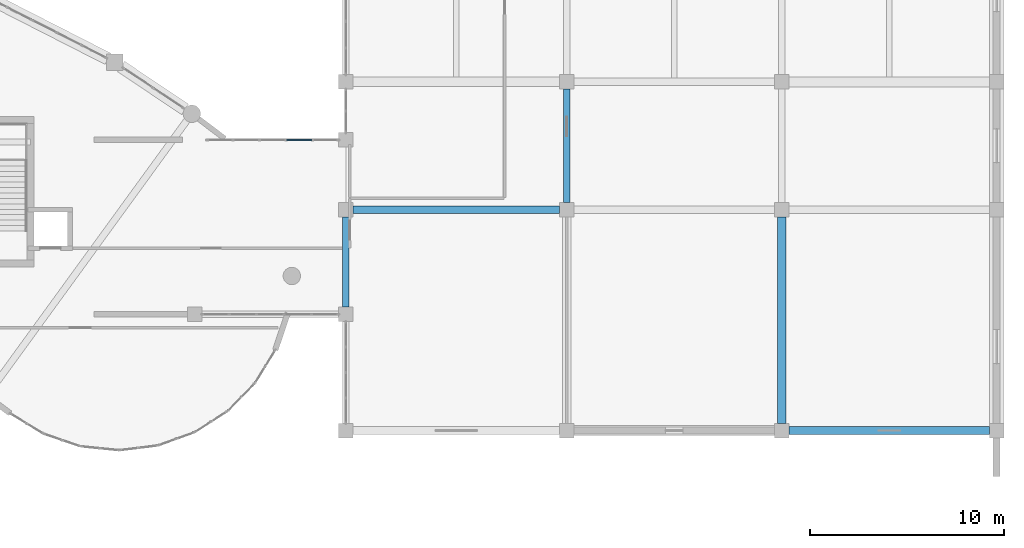
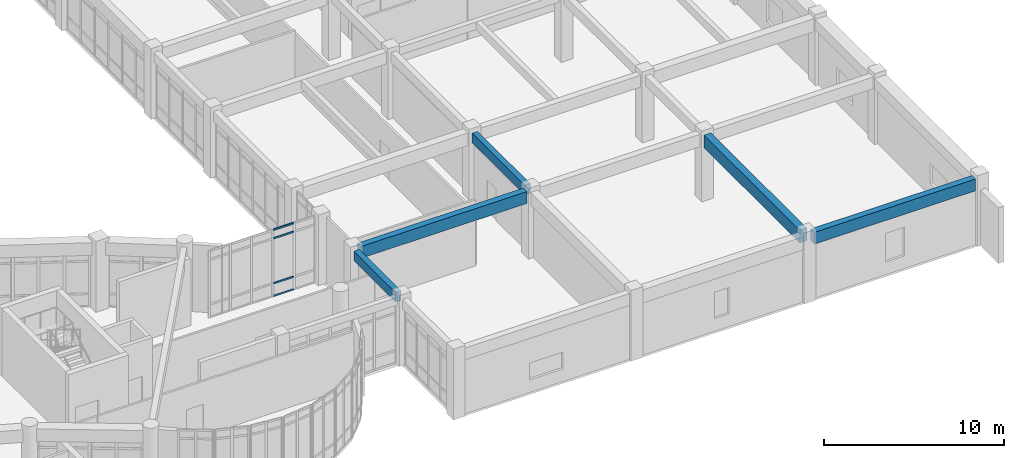
# One storey, part 25 of 68: 5 beams, 4 members, 1 element without a shape of its own.
"""IFC4 building model written with IfcOpenShell, lengths in metres."""

from ifc_helpers import new_model, si_unit, direction, frame, origin, origin_2d, place, context, subcontext, project, spatial, rectangle, extrude, material, layer, layer_set, material_profile, profile_set, type_object, element, aggregate, save


model = new_model("IFC4")

# Units and contexts
model_context = context("Model", 3, precision=1e-05, world=origin(), true_north=direction((0.0, 1.0)))
body_context = subcontext(model_context, "Body", "Model", "MODEL_VIEW")
ifc_project = project(units=[si_unit("LENGTHUNIT", "METRE"), si_unit("AREAUNIT", "SQUARE_METRE"), si_unit("VOLUMEUNIT", "CUBIC_METRE"), si_unit("PLANEANGLEUNIT", "RADIAN"), si_unit("MASSUNIT", "GRAM", prefix="KILO")], contexts=[model_context])

# Site, building, storey
site_placement = place(None, origin())
site = spatial("IfcSite", under=ifc_project, at=site_placement, CompositionType="ELEMENT")
building_placement = place(site_placement, origin())
building = spatial("IfcBuilding", under=site, at=building_placement, Name="Miralva Faculty of Natural Sciences", CompositionType="ELEMENT")
storey_placement = place(building_placement, frame((0.0, 0.0, 5.39990234375)))
storey = spatial("IfcBuildingStorey", under=building, at=storey_placement, Name="L01", CompositionType="ELEMENT", Elevation=5.39990234375)

# Beams
ifc_material_1 = material(Name="Concrete C40/50", Category="concrete")
ifc_material_profile_1 = material_profile(ifc_material_1, rectangle(XDim=0.449951171875, YDim=0.85009765625, at=origin_2d()), Name="RC 450x850")
ifc_profile_set_1 = profile_set([ifc_material_profile_1], Name="Concrete C40/50")
beam_type_1 = type_object("IfcBeamType", Name="BM-B01", PredefinedType="BEAM", material=ifc_profile_set_1)
beam_1_placement = place(storey_placement, frame((156.300048828125, 12.375, 4.05517578125), z_axis=(0.0, 1.0, 0.0), x_axis=(-1.0, 0.0, 0.0)))
element("IfcBeam", 1, at=beam_1_placement, inside=storey, type_object=beam_type_1, Name="Girder NS L01-174", PredefinedType="BEAM", context=body_context, shape_type="SweptSolid", body=[
    extrude(rectangle(XDim=0.449951171875, YDim=0.85009765625, at=origin_2d()), origin(), (0.0, 0.0, 1.0), 10.64990234375),
])
ifc_material_profile_2 = material_profile(ifc_material_1, rectangle(XDim=0.39990234375, YDim=0.800048828125, at=origin_2d()), Name="RC 400x800")
ifc_profile_set_2 = profile_set([ifc_material_profile_2], Name="Concrete C40/50")
beam_type_2 = type_object("IfcBeamType", Name="BM-B02", PredefinedType="BEAM", material=ifc_profile_set_2)
beam_2_placement = place(storey_placement, frame((156.675048828125, 12.0, 4.080078125), z_axis=(1.0, 0.0, 0.0), x_axis=(0.0, 1.0, 0.0)))
element("IfcBeam", 2, at=beam_2_placement, inside=storey, type_object=beam_type_2, Name="Girder EW L01-18", PredefinedType="BEAM", context=body_context, shape_type="SweptSolid", body=[
    extrude(rectangle(XDim=0.39990234375, YDim=0.800048828125, at=origin_2d()), origin(), (0.0, 0.0, 1.0), 10.349853515625),
])
beam_3_placement = place(storey_placement, frame((134.175048828125, 23.39990234375, 4.080078125), z_axis=(1.0, 0.0, 0.0), x_axis=(0.0, 1.0, 0.0)))
element("IfcBeam", 3, at=beam_3_placement, inside=storey, type_object=beam_type_2, Name="Girder EW L01-28", PredefinedType="BEAM", context=body_context, shape_type="SweptSolid", body=[
    extrude(rectangle(XDim=0.39990234375, YDim=0.800048828125, at=origin_2d()), origin(), (0.0, 0.0, 1.0), 10.64990234375),
])
ifc_material_profile_3 = material_profile(ifc_material_1, rectangle(XDim=0.35009765625, YDim=0.64990234375, at=origin_2d()), Name="RC 350x650")
ifc_profile_set_3 = profile_set([ifc_material_profile_3], Name="Concrete C40/50")
beam_type_3 = type_object("IfcBeamType", Name="BM-B05", PredefinedType="BEAM", material=ifc_profile_set_3)
beam_4_placement = place(storey_placement, frame((133.800048828125, 18.375, 4.155029296875), z_axis=(0.0, 1.0, 0.0), x_axis=(-1.0, 0.0, 0.0)))
element("IfcBeam", 4, at=beam_4_placement, inside=storey, type_object=beam_type_3, Name="Girder NS L01-161", PredefinedType="BEAM", context=body_context, shape_type="SweptSolid", body=[
    extrude(rectangle(XDim=0.35009765625, YDim=0.64990234375, at=origin_2d()), origin(), (0.0, 0.0, 1.0), 4.64990234375),
])
beam_5_placement = place(storey_placement, frame((145.199951171875, 23.77490234375, 4.155029296875), z_axis=(0.0, 1.0, 0.0), x_axis=(-1.0, 0.0, 0.0)))
element("IfcBeam", 5, at=beam_5_placement, inside=storey, type_object=beam_type_3, Name="Girder NS L01-168", PredefinedType="BEAM", context=body_context, shape_type="SweptSolid", body=[
    extrude(rectangle(XDim=0.35009765625, YDim=0.64990234375, at=origin_2d()), origin(), (0.0, 0.0, 1.0), 5.85009765625),
])

# Curtain wall, members
ifc_material_2 = material(Name="Laminated solar-control glass", Category="glass")
ifc_layer = layer(ifc_material_2, 0.179931640625, Name="CW-COM-L01")
ifc_layer_set = layer_set([ifc_layer], Name="Laminated solar-control glass")
curtain_wall_type = type_object("IfcCurtainWallType", Name="CW-COM-L01", PredefinedType="USERDEFINED", material=ifc_layer_set)
curtain_wall_placement = place(storey_placement, origin())
curtain_wall = element("IfcCurtainWall", 6, at=curtain_wall_placement, inside=storey, type_object=curtain_wall_type, Name="Curtain wall CW-10 L01-293", ObjectType="UNITISED CURTAIN WALL", PredefinedType="USERDEFINED")
ifc_material_3 = material(Name="Anodised aluminium", Category="aluminium")
ifc_material_profile_4 = material_profile(ifc_material_3, rectangle(XDim=0.06005859375, YDim=0.1201171875, at=origin_2d()), Name="TRANSOM 60x120")
ifc_profile_set_4 = profile_set([ifc_material_profile_4], Name="Anodised aluminium")
member_type = type_object("IfcMemberType", Name="CW-T02", PredefinedType="USERDEFINED", material=ifc_profile_set_4)
member_1_placement = place(storey_placement, frame((130.7451171875, 27.0, 0.030029296875), z_axis=(1.0, 0.0, 0.0), x_axis=(0.0, 1.0, 0.0)))
member_1 = element("IfcMember", 7, at=member_1_placement, type_object=member_type, Name="CW-10 transom 4.1", ObjectType="TRANSOM", PredefinedType="USERDEFINED", context=body_context, shape_type="SweptSolid", body=[
    extrude(rectangle(XDim=0.06005859375, YDim=0.1201171875, at=origin_2d()), origin(), (0.0, 0.0, 1.0), 1.304931640625),
])
member_2_placement = place(storey_placement, frame((130.7451171875, 27.0, 0.900146484375), z_axis=(1.0, 0.0, 0.0), x_axis=(0.0, 1.0, 0.0)))
member_2 = element("IfcMember", 8, at=member_2_placement, type_object=member_type, Name="CW-10 transom 4.2", ObjectType="TRANSOM", PredefinedType="USERDEFINED", context=body_context, shape_type="SweptSolid", body=[
    extrude(rectangle(XDim=0.06005859375, YDim=0.1201171875, at=origin_2d()), origin(), (0.0, 0.0, 1.0), 1.304931640625),
])
member_3_placement = place(storey_placement, frame((130.7451171875, 27.0, 3.9501953125), z_axis=(1.0, 0.0, 0.0), x_axis=(0.0, 1.0, 0.0)))
member_3 = element("IfcMember", 9, at=member_3_placement, type_object=member_type, Name="CW-10 transom 4.3", ObjectType="TRANSOM", PredefinedType="USERDEFINED", context=body_context, shape_type="SweptSolid", body=[
    extrude(rectangle(XDim=0.06005859375, YDim=0.1201171875, at=origin_2d()), origin(), (0.0, 0.0, 1.0), 1.304931640625),
])
member_4_placement = place(storey_placement, frame((130.7451171875, 27.0, 4.52001953125), z_axis=(1.0, 0.0, 0.0), x_axis=(0.0, 1.0, 0.0)))
member_4 = element("IfcMember", 10, at=member_4_placement, type_object=member_type, Name="CW-10 transom 4.4", ObjectType="TRANSOM", PredefinedType="USERDEFINED", context=body_context, shape_type="SweptSolid", body=[
    extrude(rectangle(XDim=0.06005859375, YDim=0.1201171875, at=origin_2d()), origin(), (0.0, 0.0, 1.0), 1.304931640625),
])
aggregate(curtain_wall, [member_1, member_2, member_3, member_4])

save(model, "model.ifc")
